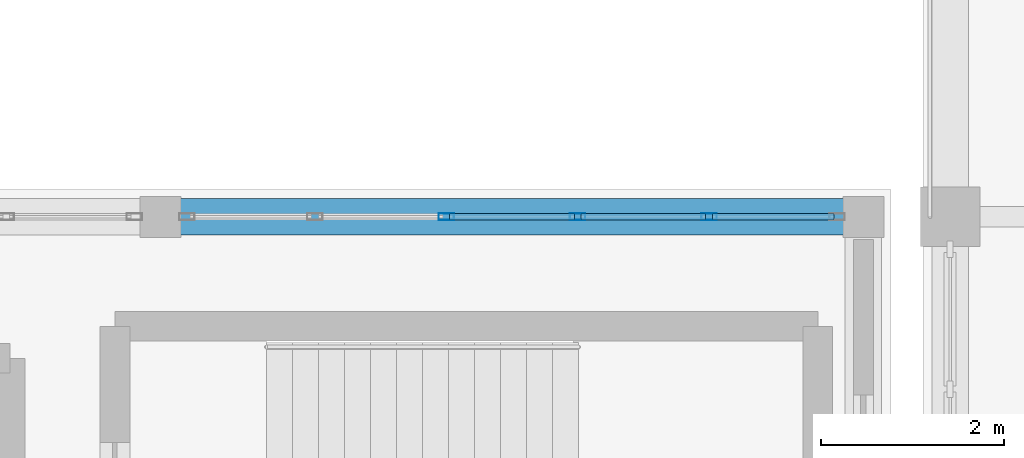
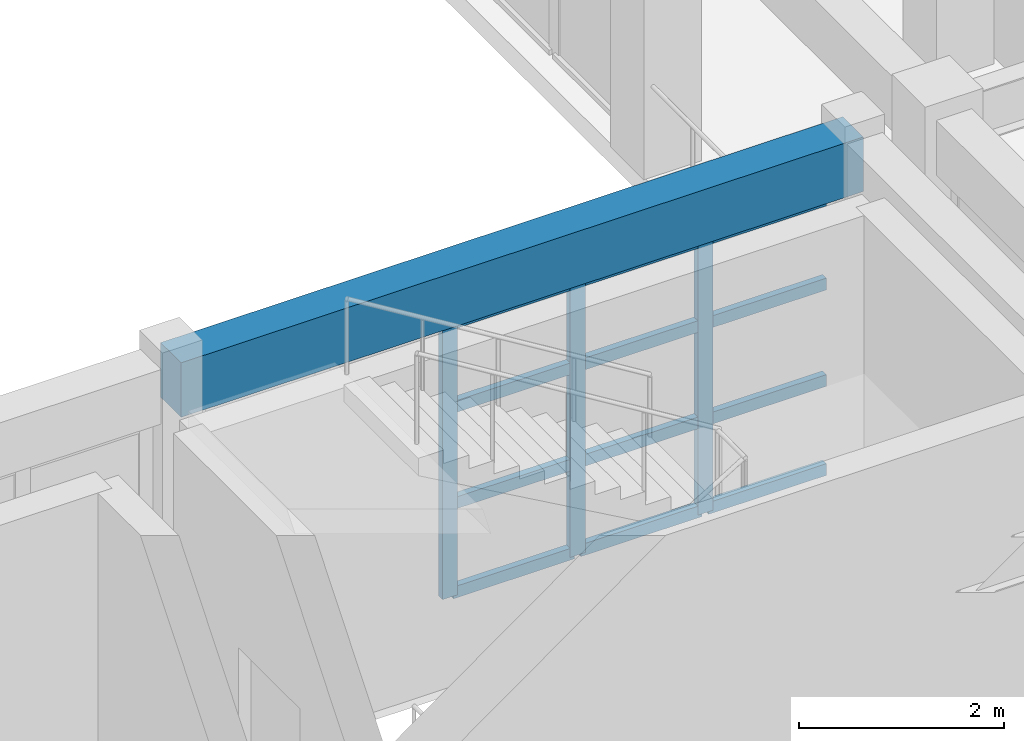
# One storey, part 16 of 66: 15 members, 1 beam, 1 element without a shape of its own.
"""IFC4 building model written with IfcOpenShell, lengths in metres."""

import ifcopenshell
import ifcopenshell.guid

model = None  # the IFC model being written
_history = None  # IfcOwnerHistory: only IFC2X3 demands one
_inside = {}  # id of a spatial element -> (the spatial element, [elements in it])
_under = {}  # id of a project, library or spatial element -> (it, [spatial elements below it])
_declared = {}  # id of a project -> (the project, [libraries it declares])
_typed = {}  # id of a type object -> (the type object, [elements of that type])
_made_of = {}  # id of a material, layer set ... -> (it, [elements and type objects made of it])


def new_model(schema):
    """Start an empty IFC model of exactly this schema.

    Asked for "IFC4X3", IfcOpenShell would pick the latest addendum, in which some entities
    have other attributes; the version numbers below select the first issue.
    IFC2X3 requires an IfcOwnerHistory on every rooted entity: one is made here for all.
    """
    global model, _history
    if schema == "IFC4X3":
        model = ifcopenshell.file(schema_version=(4, 3, 0, 0))
    else:
        model = ifcopenshell.file(schema=schema)
    _inside.clear()
    _under.clear()
    _declared.clear()
    _typed.clear()
    _made_of.clear()
    _history = None
    if model.schema == "IFC2X3":
        org = make("IfcOrganization", Name="unknown")
        user = make(
            "IfcPersonAndOrganization",
            ThePerson=make("IfcPerson", FamilyName="unknown"),
            TheOrganization=org,
        )
        app = make(
            "IfcApplication",
            ApplicationDeveloper=org,
            Version="unknown",
            ApplicationFullName="unknown",
            ApplicationIdentifier="unknown",
        )
        _history = make(
            "IfcOwnerHistory",
            OwningUser=user,
            OwningApplication=app,
            ChangeAction="ADDED",
            CreationDate=0,
        )
    return model


def make(cls, **values):
    """One entity of the class cls with the attributes given. An attribute that is None is left unset."""
    return model.create_entity(
        cls, **{name: value for name, value in values.items() if value is not None}
    )


def rooted(cls, **values):
    """An entity with a GlobalId (a new one), such as an element, a storey or a relation."""
    return make(cls, GlobalId=ifcopenshell.guid.new(), OwnerHistory=_history, **values)


def si_unit(unit_type, name, prefix=None):
    """IfcSIUnit, for example si_unit("LENGTHUNIT", "METRE", prefix="MILLI")."""
    return make("IfcSIUnit", UnitType=unit_type, Prefix=prefix, Name=name)


def assignment(units):
    """IfcUnitAssignment: the units of a project."""
    return None if units is None else make("IfcUnitAssignment", Units=units)


def point(xyz):
    """IfcCartesianPoint."""
    return None if xyz is None else make("IfcCartesianPoint", Coordinates=xyz)


def direction(xyz):
    """IfcDirection."""
    return None if xyz is None else make("IfcDirection", DirectionRatios=xyz)


def frame(location, z_axis=None, x_axis=None):
    """IfcAxis2Placement3D, a coordinate frame: its origin and axes. An axis left out is left unset."""
    return make(
        "IfcAxis2Placement3D",
        Location=point(location),
        Axis=direction(z_axis),
        RefDirection=direction(x_axis),
    )


def frame_2d(location, x_axis=None):
    """IfcAxis2Placement2D, a coordinate frame in the plane: its origin and x axis."""
    return make(
        "IfcAxis2Placement2D", Location=point(location), RefDirection=direction(x_axis)
    )


def origin():
    """The frame at (0, 0, 0) with its axes left unset."""
    return frame((0.0, 0.0, 0.0))


def origin_2d():
    """The frame at (0, 0) in the plane with its x axis left unset."""
    return frame_2d((0.0, 0.0))


def place(relative_to, where):
    """IfcLocalPlacement: puts the frame where relative to a parent placement (None: the world)."""
    return make(
        "IfcLocalPlacement", PlacementRelTo=relative_to, RelativePlacement=where
    )


def context(
    kind, dimensions, precision=None, world=None, true_north=None, identifier=None
):
    """IfcGeometricRepresentationContext, for example the 3D "Model" context."""
    return make(
        "IfcGeometricRepresentationContext",
        ContextIdentifier=identifier,
        ContextType=kind,
        CoordinateSpaceDimension=dimensions,
        Precision=precision,
        WorldCoordinateSystem=world,
        TrueNorth=true_north,
    )


def subcontext(parent, identifier, kind, view, scale=None):
    """IfcGeometricRepresentationSubContext, for example "Body" below "Model"."""
    return make(
        "IfcGeometricRepresentationSubContext",
        ContextIdentifier=identifier,
        ContextType=kind,
        ParentContext=parent,
        TargetScale=scale,
        TargetView=view,
    )


def project(units=None, contexts=None):
    """IfcProject with its units and contexts."""
    return rooted(
        "IfcProject",
        Name="project",
        RepresentationContexts=contexts,
        UnitsInContext=assignment(units),
    )


def spatial(cls, under=None, at=None, **own):
    """A site, building, storey or space (cls), placed at a placement, below another one or the project."""
    s = rooted(cls, ObjectPlacement=at, **own)
    if under is not None:
        _under.setdefault(under.id(), (under, []))[1].append(s)
    return s


def profile(cls, at=None, kind="AREA", **sizes):
    """A parametric profile (cls). Its sizes go by their IFC names, for example OverallWidth=200.0."""
    return make(cls, ProfileType=kind, Position=at, **sizes)


def rectangle(**sizes):
    """IfcRectangleProfileDef."""
    return profile("IfcRectangleProfileDef", **sizes)


def hollow_rectangle(**sizes):
    """IfcRectangleHollowProfileDef."""
    return profile("IfcRectangleHollowProfileDef", **sizes)


def extrude(swept, where, along, depth):
    """IfcExtrudedAreaSolid: the profile swept, set in the frame where, extruded along a direction by depth."""
    return make(
        "IfcExtrudedAreaSolid",
        SweptArea=swept,
        Position=where,
        ExtrudedDirection=direction(along),
        Depth=depth,
    )


def shape(context_of_items, identifier, shape_type, items):
    """IfcShapeRepresentation: the items that make up one representation, for example the "Body"."""
    return make(
        "IfcShapeRepresentation",
        ContextOfItems=context_of_items,
        RepresentationIdentifier=identifier,
        RepresentationType=shape_type,
        Items=items,
    )


def material(Name=None, Category=None):
    """IfcMaterial."""
    return make("IfcMaterial", Name=Name, Category=Category)


def layer(
    of_material, thickness, ventilated=None, Name=None, Category=None, Priority=None
):
    """IfcMaterialLayer: one layer of a wall or slab, of a material (None: an air gap)."""
    return make(
        "IfcMaterialLayer",
        Material=of_material,
        LayerThickness=thickness,
        IsVentilated=ventilated,
        Name=Name,
        Category=Category,
        Priority=Priority,
    )


def layer_set(layers, Name=None):
    """IfcMaterialLayerSet."""
    return make("IfcMaterialLayerSet", MaterialLayers=layers, LayerSetName=Name)


def material_profile(
    of_material, cross_section, Name=None, Category=None, Priority=None
):
    """IfcMaterialProfile: a cross section and its material."""
    return make(
        "IfcMaterialProfile",
        Name=Name,
        Material=of_material,
        Profile=cross_section,
        Priority=Priority,
        Category=Category,
    )


def profile_set(profiles, Name=None, composite=None):
    """IfcMaterialProfileSet."""
    return make(
        "IfcMaterialProfileSet",
        Name=Name,
        MaterialProfiles=profiles,
        CompositeProfile=composite,
    )


def made_of(thing, what):
    """Note that an element or type object is made of a material, layer set ...; save() writes the relation."""
    if what is not None:
        _made_of.setdefault(what.id(), (what, []))[1].append(thing)
    return thing


def type_object(cls, material=None, **own):
    """A type object (cls), such as IfcWallType, which elements share."""
    return made_of(rooted(cls, **own), material)


def element(
    cls,
    number,
    at=None,
    inside=None,
    cuts=None,
    type_object=None,
    material=None,
    context=None,
    identifier="Body",
    shape_type=None,
    held_by="IfcProductDefinitionShape",
    body=None,
    shapes=None,
    **own,
):
    """One element of the class cls, such as IfcWall. Its Tag is "e" and its number.

    at: its placement. inside: the storey or other place that contains it. cuts: it is an
    opening in that element (IfcRelVoidsElement). A single representation is given by context,
    identifier, shape_type and body (its items); several are given by shapes. held_by: the class
    of the entity that holds the representations. save() writes the other relations.
    """
    e = rooted(cls, Tag="e%d" % number, ObjectPlacement=at, **own)
    if body is not None:
        shapes = [shape(context, identifier, shape_type, body)]
    if shapes is not None:
        e.Representation = make(held_by, Representations=shapes)
    if inside is not None:
        _inside.setdefault(inside.id(), (inside, []))[1].append(e)
    if cuts is not None:
        rooted(
            "IfcRelVoidsElement", RelatingBuildingElement=cuts, RelatedOpeningElement=e
        )
    if type_object is not None:
        _typed.setdefault(type_object.id(), (type_object, []))[1].append(e)
    return made_of(e, material)


def aggregate(whole, parts):
    """IfcRelAggregates: a whole, such as a stair, and the parts it consists of."""
    return rooted("IfcRelAggregates", RelatingObject=whole, RelatedObjects=parts)


def save(model, path):
    """Write the relations noted so far, then the file.

    IfcRelAggregates (storeys below a building ...), IfcRelContainedInSpatialStructure (elements
    in a storey), IfcRelDefinesByType, IfcRelAssociatesMaterial and IfcRelDeclares: one each for
    every whole, place, type object, material and project.
    """
    for whole, parts in _under.values():
        aggregate(whole, parts)
    for where, things in _inside.values():
        rooted(
            "IfcRelContainedInSpatialStructure",
            RelatedElements=things,
            RelatingStructure=where,
        )
    for kind, things in _typed.values():
        rooted("IfcRelDefinesByType", RelatedObjects=things, RelatingType=kind)
    for what, things in _made_of.values():
        rooted("IfcRelAssociatesMaterial", RelatedObjects=things, RelatingMaterial=what)
    for by, libraries in _declared.values():
        rooted("IfcRelDeclares", RelatingContext=by, RelatedDefinitions=libraries)
    model.write(path)


model = new_model("IFC4")

# Units and contexts
model_context = context("Model", 3, precision=1e-05, world=origin(), true_north=direction((0.0, 1.0)))
body_context = subcontext(model_context, "Body", "Model", "MODEL_VIEW")
ifc_project = project(units=[si_unit("LENGTHUNIT", "METRE"), si_unit("AREAUNIT", "SQUARE_METRE"), si_unit("VOLUMEUNIT", "CUBIC_METRE"), si_unit("PLANEANGLEUNIT", "RADIAN"), si_unit("MASSUNIT", "GRAM", prefix="KILO")], contexts=[model_context])

# Site, building, storey
site_placement = place(None, origin())
site = spatial("IfcSite", under=ifc_project, at=site_placement, CompositionType="ELEMENT")
building_placement = place(site_placement, origin())
building = spatial("IfcBuilding", under=site, at=building_placement, Name="Candilejo Ridge Gondola Terminal", CompositionType="ELEMENT")
storey_placement = place(building_placement, frame((0.0, 0.0, 14.39990234375)))
storey = spatial("IfcBuildingStorey", under=building, at=storey_placement, Name="L03", CompositionType="ELEMENT", Elevation=14.39990234375)

# Curtain wall, members
ifc_material_1 = material(Name="Anodised aluminium AA 6063-T6", Category="aluminium")
ifc_layer = layer(ifc_material_1, 0.169921875)
ifc_layer_set = layer_set([ifc_layer], Name="ARC-CW-GALLERY-3200-720X329")
curtain_wall_type = type_object("IfcCurtainWallType", Name="ARC-CW-GALLERY-3200-720X329", PredefinedType="NOTDEFINED", material=ifc_layer_set)
curtain_wall_placement = place(storey_placement, origin())
curtain_wall = element("IfcCurtainWall", 1, at=curtain_wall_placement, inside=storey, type_object=curtain_wall_type, Name="Curtain wall V3 L03-099", PredefinedType="NOTDEFINED")
ifc_material_2 = material(Name="Anodised aluminium AA 6063-T6", Category="aluminium")
ifc_material_profile_1 = material_profile(ifc_material_2, hollow_rectangle(XDim=0.074951171875, YDim=0.169921875, WallThickness=0.00390625, at=origin_2d()))
ifc_profile_set_1 = profile_set([ifc_material_profile_1], Name="Anodised aluminium AA 6063-T6")
member_type_1 = type_object("IfcMemberType", Name="ARC-CW-MULLION", PredefinedType="MULLION", material=ifc_profile_set_1)
member_1_placement = place(storey_placement, frame((128.3798828125, 36.699951171875, 0.0), z_axis=(0.0, 0.0, 1.0), x_axis=(0.0, 1.0, 0.0)))
member_1 = element("IfcMember", 2, at=member_1_placement, type_object=member_type_1, Name="CW-72X32 mullion 3", PredefinedType="MULLION", context=body_context, shape_type="SweptSolid", body=[
    extrude(hollow_rectangle(XDim=0.074951171875, YDim=0.169921875, WallThickness=0.00390625, at=origin_2d()), origin(), (0.0, 0.0, 1.0), 3.2900390625),
])
member_2_placement = place(storey_placement, frame((129.820068359375, 36.699951171875, 0.0), z_axis=(0.0, 0.0, 1.0), x_axis=(0.0, 1.0, 0.0)))
member_2 = element("IfcMember", 3, at=member_2_placement, type_object=member_type_1, Name="CW-72X32 mullion 4", PredefinedType="MULLION", context=body_context, shape_type="SweptSolid", body=[
    extrude(hollow_rectangle(XDim=0.074951171875, YDim=0.169921875, WallThickness=0.00390625, at=origin_2d()), origin(), (0.0, 0.0, 1.0), 3.2900390625),
])
member_3_placement = place(storey_placement, frame((131.260009765625, 36.699951171875, 0.0), z_axis=(0.0, 0.0, 1.0), x_axis=(0.0, 1.0, 0.0)))
member_3 = element("IfcMember", 4, at=member_3_placement, type_object=member_type_1, Name="CW-72X32 mullion 5", PredefinedType="MULLION", context=body_context, shape_type="SweptSolid", body=[
    extrude(hollow_rectangle(XDim=0.074951171875, YDim=0.169921875, WallThickness=0.00390625, at=origin_2d()), origin(), (0.0, 0.0, 1.0), 3.2900390625),
])
ifc_material_3 = material(Name="Anodised aluminium AA 6063-T6", Category="aluminium")
ifc_material_profile_2 = material_profile(ifc_material_3, hollow_rectangle(XDim=0.074951171875, YDim=0.139892578125, WallThickness=0.00390625, at=origin_2d()))
ifc_profile_set_2 = profile_set([ifc_material_profile_2], Name="Anodised aluminium AA 6063-T6")
member_type_2 = type_object("IfcMemberType", Name="ARC-CW-TRANSOM", PredefinedType="USERDEFINED", material=ifc_profile_set_2)
member_4_placement = place(storey_placement, frame((128.41748046875, 36.699951171875, 0.03759765625), z_axis=(1.0, 0.0, 0.0), x_axis=(0.0, 1.0, 0.0)))
member_4 = element("IfcMember", 5, at=member_4_placement, type_object=member_type_2, Name="CW-72X32 transom 3.1", ObjectType="TRANSOM", PredefinedType="USERDEFINED", context=body_context, shape_type="SweptSolid", body=[
    extrude(hollow_rectangle(XDim=0.074951171875, YDim=0.139892578125, WallThickness=0.00390625, at=origin_2d()), origin(), (0.0, 0.0, 1.0), 1.364990234375),
])
member_5_placement = place(storey_placement, frame((128.41748046875, 36.699951171875, 1.10009765625), z_axis=(1.0, 0.0, 0.0), x_axis=(0.0, 1.0, 0.0)))
member_5 = element("IfcMember", 6, at=member_5_placement, type_object=member_type_2, Name="CW-72X32 transom 3.2", ObjectType="TRANSOM", PredefinedType="USERDEFINED", context=body_context, shape_type="SweptSolid", body=[
    extrude(hollow_rectangle(XDim=0.074951171875, YDim=0.139892578125, WallThickness=0.00390625, at=origin_2d()), origin(), (0.0, 0.0, 1.0), 1.364990234375),
])
member_6_placement = place(storey_placement, frame((128.41748046875, 36.699951171875, 2.25), z_axis=(1.0, 0.0, 0.0), x_axis=(0.0, 1.0, 0.0)))
member_6 = element("IfcMember", 7, at=member_6_placement, type_object=member_type_2, Name="CW-72X32 transom 3.3", ObjectType="TRANSOM", PredefinedType="USERDEFINED", context=body_context, shape_type="SweptSolid", body=[
    extrude(hollow_rectangle(XDim=0.074951171875, YDim=0.139892578125, WallThickness=0.00390625, at=origin_2d()), origin(), (0.0, 0.0, 1.0), 1.364990234375),
])
member_7_placement = place(storey_placement, frame((128.41748046875, 36.699951171875, 3.252685546875), z_axis=(1.0, 0.0, 0.0), x_axis=(0.0, 1.0, 0.0)))
member_7 = element("IfcMember", 8, at=member_7_placement, type_object=member_type_2, Name="CW-72X32 transom 3.4", ObjectType="TRANSOM", PredefinedType="USERDEFINED", context=body_context, shape_type="SweptSolid", body=[
    extrude(hollow_rectangle(XDim=0.074951171875, YDim=0.139892578125, WallThickness=0.00390625, at=origin_2d()), origin(), (0.0, 0.0, 1.0), 1.364990234375),
])
member_8_placement = place(storey_placement, frame((129.857421875, 36.699951171875, 0.03759765625), z_axis=(1.0, 0.0, 0.0), x_axis=(0.0, 1.0, 0.0)))
member_8 = element("IfcMember", 9, at=member_8_placement, type_object=member_type_2, Name="CW-72X32 transom 4.1", ObjectType="TRANSOM", PredefinedType="USERDEFINED", context=body_context, shape_type="SweptSolid", body=[
    extrude(hollow_rectangle(XDim=0.074951171875, YDim=0.139892578125, WallThickness=0.00390625, at=origin_2d()), origin(), (0.0, 0.0, 1.0), 1.364990234375),
])
member_9_placement = place(storey_placement, frame((129.857421875, 36.699951171875, 1.10009765625), z_axis=(1.0, 0.0, 0.0), x_axis=(0.0, 1.0, 0.0)))
member_9 = element("IfcMember", 10, at=member_9_placement, type_object=member_type_2, Name="CW-72X32 transom 4.2", ObjectType="TRANSOM", PredefinedType="USERDEFINED", context=body_context, shape_type="SweptSolid", body=[
    extrude(hollow_rectangle(XDim=0.074951171875, YDim=0.139892578125, WallThickness=0.00390625, at=origin_2d()), origin(), (0.0, 0.0, 1.0), 1.364990234375),
])
member_10_placement = place(storey_placement, frame((129.857421875, 36.699951171875, 2.25), z_axis=(1.0, 0.0, 0.0), x_axis=(0.0, 1.0, 0.0)))
member_10 = element("IfcMember", 11, at=member_10_placement, type_object=member_type_2, Name="CW-72X32 transom 4.3", ObjectType="TRANSOM", PredefinedType="USERDEFINED", context=body_context, shape_type="SweptSolid", body=[
    extrude(hollow_rectangle(XDim=0.074951171875, YDim=0.139892578125, WallThickness=0.00390625, at=origin_2d()), origin(), (0.0, 0.0, 1.0), 1.364990234375),
])
member_11_placement = place(storey_placement, frame((129.857421875, 36.699951171875, 3.252685546875), z_axis=(1.0, 0.0, 0.0), x_axis=(0.0, 1.0, 0.0)))
member_11 = element("IfcMember", 12, at=member_11_placement, type_object=member_type_2, Name="CW-72X32 transom 4.4", ObjectType="TRANSOM", PredefinedType="USERDEFINED", context=body_context, shape_type="SweptSolid", body=[
    extrude(hollow_rectangle(XDim=0.074951171875, YDim=0.139892578125, WallThickness=0.00390625, at=origin_2d()), origin(), (0.0, 0.0, 1.0), 1.364990234375),
])
member_12_placement = place(storey_placement, frame((131.297607421875, 36.699951171875, 0.03759765625), z_axis=(1.0, 0.0, 0.0), x_axis=(0.0, 1.0, 0.0)))
member_12 = element("IfcMember", 13, at=member_12_placement, type_object=member_type_2, Name="CW-72X32 transom 5.1", ObjectType="TRANSOM", PredefinedType="USERDEFINED", context=body_context, shape_type="SweptSolid", body=[
    extrude(hollow_rectangle(XDim=0.074951171875, YDim=0.139892578125, WallThickness=0.00390625, at=origin_2d()), origin(), (0.0, 0.0, 1.0), 1.327392578125),
])
member_13_placement = place(storey_placement, frame((131.297607421875, 36.699951171875, 1.10009765625), z_axis=(1.0, 0.0, 0.0), x_axis=(0.0, 1.0, 0.0)))
member_13 = element("IfcMember", 14, at=member_13_placement, type_object=member_type_2, Name="CW-72X32 transom 5.2", ObjectType="TRANSOM", PredefinedType="USERDEFINED", context=body_context, shape_type="SweptSolid", body=[
    extrude(hollow_rectangle(XDim=0.074951171875, YDim=0.139892578125, WallThickness=0.00390625, at=origin_2d()), origin(), (0.0, 0.0, 1.0), 1.327392578125),
])
member_14_placement = place(storey_placement, frame((131.297607421875, 36.699951171875, 2.25), z_axis=(1.0, 0.0, 0.0), x_axis=(0.0, 1.0, 0.0)))
member_14 = element("IfcMember", 15, at=member_14_placement, type_object=member_type_2, Name="CW-72X32 transom 5.3", ObjectType="TRANSOM", PredefinedType="USERDEFINED", context=body_context, shape_type="SweptSolid", body=[
    extrude(hollow_rectangle(XDim=0.074951171875, YDim=0.139892578125, WallThickness=0.00390625, at=origin_2d()), origin(), (0.0, 0.0, 1.0), 1.327392578125),
])
member_15_placement = place(storey_placement, frame((131.297607421875, 36.699951171875, 3.252685546875), z_axis=(1.0, 0.0, 0.0), x_axis=(0.0, 1.0, 0.0)))
member_15 = element("IfcMember", 16, at=member_15_placement, type_object=member_type_2, Name="CW-72X32 transom 5.4", ObjectType="TRANSOM", PredefinedType="USERDEFINED", context=body_context, shape_type="SweptSolid", body=[
    extrude(hollow_rectangle(XDim=0.074951171875, YDim=0.139892578125, WallThickness=0.00390625, at=origin_2d()), origin(), (0.0, 0.0, 1.0), 1.327392578125),
])
aggregate(curtain_wall, [member_1, member_2, member_3, member_4, member_5, member_6, member_7, member_8, member_9, member_10, member_11, member_12, member_13, member_14, member_15])

# Beam
ifc_material_4 = material(Name="Concrete f'c 35 MPa (C35/45)", Category="concrete")
ifc_material_profile_3 = material_profile(ifc_material_4, rectangle(XDim=0.39990234375, YDim=0.64990234375, at=origin_2d()))
ifc_profile_set_3 = profile_set([ifc_material_profile_3], Name="Concrete f'c 35 MPa (C35/45)")
beam_type = type_object("IfcBeamType", Name="STR-SPN-RC400X650", PredefinedType="SPANDREL", material=ifc_profile_set_3)
beam_placement = place(storey_placement, frame((125.25, 36.699951171875, 3.6650390625), z_axis=(1.0, 0.0, 0.0), x_axis=(0.0, 1.0, 0.0)))
element("IfcBeam", 17, at=beam_placement, inside=storey, type_object=beam_type, Name="Beam X V3 L03 X19-X20@Y07", PredefinedType="SPANDREL", context=body_context, shape_type="SweptSolid", body=[
    extrude(rectangle(XDim=0.39990234375, YDim=0.64990234375, at=origin_2d()), origin(), (0.0, 0.0, 1.0), 7.699951171875),
])

save(model, "model.ifc")
